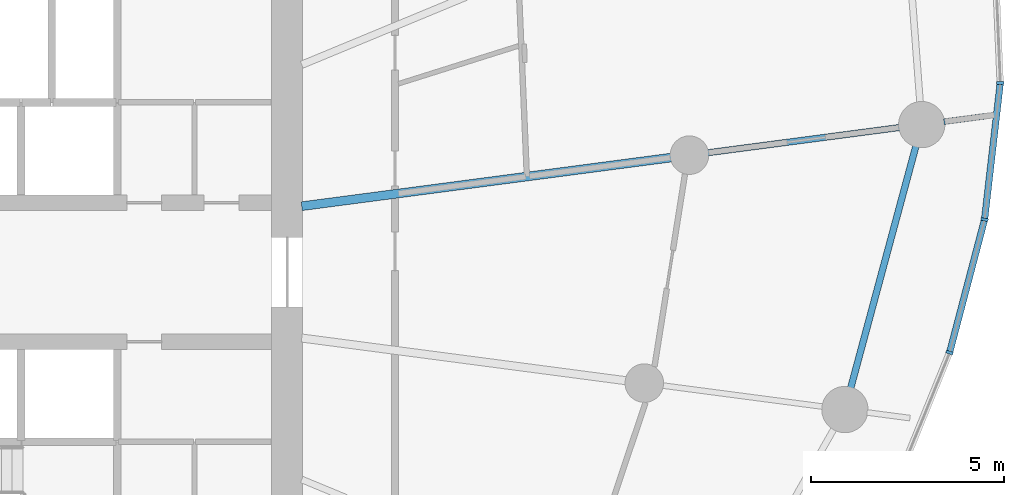
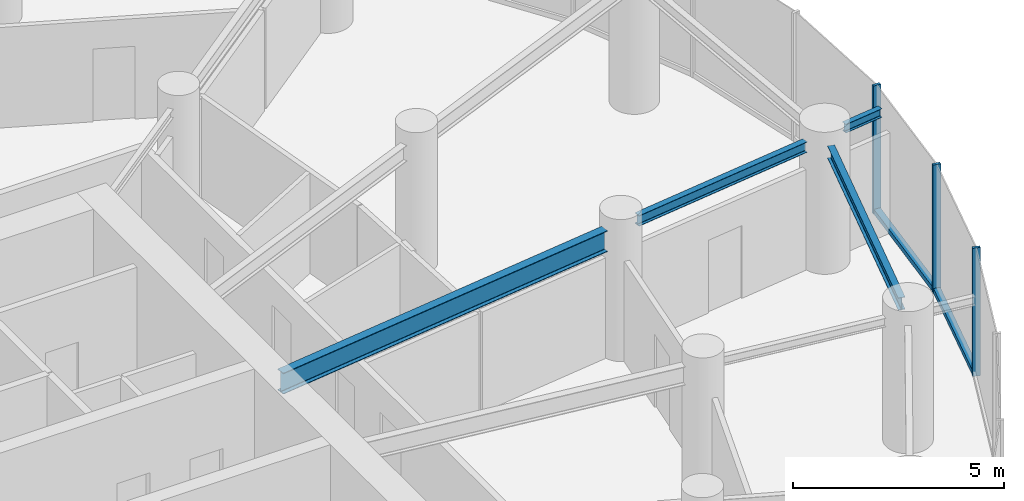
# One storey, part 5 of 17: 5 members, 4 beams, 2 elements without a shape of their own.
"""IFC4 building model written with IfcOpenShell, lengths in metres."""

from ifc_helpers import new_model, si_unit, direction, frame, origin, origin_2d, place, context, subcontext, project, spatial, rectangle, i_section, extrude, source, transform, mapped, material, layer, layer_set, material_profile, profile_set, type_object, element, aggregate, save


model = new_model("IFC4")

# Units and contexts
model_context = context("Model", 3, precision=1e-05, world=origin(), true_north=direction((0.0, 1.0)))
body_context = subcontext(model_context, "Body", "Model", "MODEL_VIEW")
ifc_project = project(units=[si_unit("LENGTHUNIT", "METRE"), si_unit("AREAUNIT", "SQUARE_METRE"), si_unit("VOLUMEUNIT", "CUBIC_METRE"), si_unit("PLANEANGLEUNIT", "RADIAN"), si_unit("MASSUNIT", "GRAM", prefix="KILO")], contexts=[model_context])

# Site, building, storey
site_placement = place(None, origin())
site = spatial("IfcSite", under=ifc_project, at=site_placement, CompositionType="ELEMENT")
building_placement = place(site_placement, origin())
building = spatial("IfcBuilding", under=site, at=building_placement, Name="Spindrift Exchange Tower", CompositionType="ELEMENT")
storey_placement = place(building_placement, frame((0.0, 0.0, 112.60009765625)))
storey = spatial("IfcBuildingStorey", under=building, at=storey_placement, Name="L26", CompositionType="ELEMENT", Elevation=112.60009765625)

# Beams
ifc_material_1 = material(Name="Steel Grade 300", Category="steel")
ifc_material_profile_1 = material_profile(ifc_material_1, i_section(OverallWidth=0.22802734375, OverallDepth=0.60693359375, WebThickness=0.01123046875, FlangeThickness=0.017333984375, FilletRadius=0.013916015625, at=origin_2d()), Name="610UB113")
ifc_profile_set_1 = profile_set([ifc_material_profile_1], Name="Steel Grade 300")
beam_type_1 = type_object("IfcBeamType", Name="Floor Beam 610UB113 Steel Grade 300", PredefinedType="BEAM", material=ifc_profile_set_1)
shared_shape_1 = source(origin(), body_context, "Body", "SweptSolid", [
    extrude(i_section(OverallWidth=0.22802734375, OverallDepth=0.60693359375, WebThickness=0.01123046875, FlangeThickness=0.017333984375, FilletRadius=0.013916015625, at=origin_2d()), origin(), (0.0, 0.0, 1.0), 9.660400390625),
])
beam_1_placement = place(storey_placement, frame((64.980224609375, 49.708984375, 3.396484375), z_axis=(0.99144767089, 0.130504850054, 0.0), x_axis=(-0.130504850054, 0.99144767089, 0.0)))
element("IfcBeam", 1, at=beam_1_placement, inside=storey, type_object=beam_type_1, Name="L26 radial beam R01A", PredefinedType="BEAM", context=body_context, shape_type="MappedRepresentation", body=[
    mapped(shared_shape_1, transform((0.0, 0.0, 0.0), scale=1.0)),
])
ifc_material_profile_2 = material_profile(ifc_material_1, i_section(OverallWidth=0.1650390625, OverallDepth=0.303955078125, WebThickness=0.006103515625, FlangeThickness=0.01025390625, FilletRadius=0.011474609375, at=origin_2d()), Name="310UB40.4")
ifc_profile_set_2 = profile_set([ifc_material_profile_2], Name="Steel Grade 300")
beam_type_2 = type_object("IfcBeamType", Name="Floor Beam 310UB40.4 Steel Grade 300", PredefinedType="BEAM", material=ifc_profile_set_2)
shared_shape_2 = source(origin(), body_context, "Body", "SweptSolid", [
    extrude(i_section(OverallWidth=0.1650390625, OverallDepth=0.303955078125, WebThickness=0.006103515625, FlangeThickness=0.01025390625, FilletRadius=0.011474609375, at=origin_2d()), origin(), (0.0, 0.0, 1.0), 5.014404296875),
])
beam_2_placement = place(storey_placement, frame((75.509765625, 51.09521484375, 3.5478515625), z_axis=(0.99145015202, 0.13048599948, 0.0), x_axis=(-0.13048599948, 0.99145015202, 0.0)))
element("IfcBeam", 2, at=beam_2_placement, inside=storey, type_object=beam_type_2, Name="L26 radial beam R01B", PredefinedType="BEAM", context=body_context, shape_type="MappedRepresentation", body=[
    mapped(shared_shape_2, transform((0.0, 0.0, 0.0), scale=1.0)),
])
ifc_material_profile_3 = material_profile(ifc_material_1, i_section(OverallWidth=0.172119140625, OverallDepth=0.35888671875, WebThickness=0.008056640625, FlangeThickness=0.012939453125, FilletRadius=0.013916015625, at=origin_2d()), Name="360UB56.7")
ifc_profile_set_3 = profile_set([ifc_material_profile_3], Name="Steel Grade 300")
beam_type_3 = type_object("IfcBeamType", Name="Edge Beam 360UB56.7 Steel Grade 300", PredefinedType="SPANDREL", material=ifc_profile_set_3)
shared_shape_3 = source(origin(), body_context, "Body", "SweptSolid", [
    extrude(i_section(OverallWidth=0.172119140625, OverallDepth=0.35888671875, WebThickness=0.008056640625, FlangeThickness=0.012939453125, FilletRadius=0.013916015625, at=origin_2d()), origin(), (0.0, 0.0, 1.0), 6.4921875),
])
beam_3_placement = place(storey_placement, frame((79.215576171875, 44.996826171875, 3.5205078125), z_axis=(0.260262058381, 0.965538016324, 0.0), x_axis=(-0.965538016324, 0.260262058381, 0.0)))
element("IfcBeam", 3, at=beam_3_placement, inside=storey, type_object=beam_type_3, Name="L26 edge beam E24", PredefinedType="SPANDREL", context=body_context, shape_type="MappedRepresentation", body=[
    mapped(shared_shape_3, transform((0.0, 0.0, 0.0), scale=1.0)),
])
ifc_material_profile_4 = material_profile(ifc_material_1, i_section(OverallWidth=0.14599609375, OverallDepth=0.251953125, WebThickness=0.006103515625, FlangeThickness=0.008544921875, FilletRadius=0.011962890625, at=origin_2d()), Name="250UB31.4")
ifc_profile_set_4 = profile_set([ifc_material_profile_4], Name="Steel Grade 300")
beam_type_4 = type_object("IfcBeamType", Name="Cantilever Beam 250UB31.4 Steel Grade 300", PredefinedType="BEAM", material=ifc_profile_set_4)
shared_shape_4 = source(origin(), body_context, "Body", "SweptSolid", [
    extrude(i_section(OverallWidth=0.14599609375, OverallDepth=0.251953125, WebThickness=0.006103515625, FlangeThickness=0.008544921875, FilletRadius=0.011962890625, at=origin_2d()), origin(), (0.0, 0.0, 1.0), 1.071533203125),
])
beam_4_placement = place(storey_placement, frame((81.63134765625, 51.90087890625, 3.573974609375), z_axis=(0.991410032, 0.130790475378, 0.0), x_axis=(-0.130790475378, 0.991410032, 0.0)))
element("IfcBeam", 4, at=beam_4_placement, inside=storey, type_object=beam_type_4, Name="L26 cantilever beam R01T", PredefinedType="BEAM", context=body_context, shape_type="MappedRepresentation", body=[
    mapped(shared_shape_4, transform((0.0, 0.0, 0.0), scale=1.0)),
])

# Curtain wall, members
ifc_material_2 = material(Name="Fritted laminated glass with bronze frame", Category="glass")
ifc_layer = layer(ifc_material_2, 0.18994140625)
ifc_layer_set = layer_set([ifc_layer], Name="ZONE 2 BRONZE FRITTED WALL")
curtain_wall_type = type_object("IfcCurtainWallType", Name="ZONE 2 BRONZE FRITTED WALL", PredefinedType="NOTDEFINED", material=ifc_layer_set)
curtain_wall_1_placement = place(storey_placement, origin())
curtain_wall_1 = element("IfcCurtainWall", 5, at=curtain_wall_1_placement, inside=storey, type_object=curtain_wall_type, Name="L26 Zone 2 Bronze Fritted Wall run 8", PredefinedType="NOTDEFINED")
ifc_material_3 = material(Name="Bronze anodised aluminium", Category="aluminium")
ifc_material_profile_5 = material_profile(ifc_material_3, rectangle(XDim=0.074951171875, YDim=0.18994140625, at=origin_2d()), Name="ZONE 2 BRONZE FRITTED WALL MULLION 75X190")
ifc_profile_set_5 = profile_set([ifc_material_profile_5], Name="Bronze anodised aluminium")
member_type_1 = type_object("IfcMemberType", Name="ZONE 2 BRONZE FRITTED WALL MULLION 75X190", PredefinedType="MULLION", material=ifc_profile_set_5)
shared_shape_5 = source(origin(), body_context, "Body", "SweptSolid", [
    extrude(rectangle(XDim=0.074951171875, YDim=0.18994140625, at=origin_2d()), origin(), (0.0, 0.0, 1.0), 3.699951171875),
])
member_1_placement = place(storey_placement, frame((81.779541015625, 45.913818359375, 0.0), z_axis=(0.0, 0.0, 1.0), x_axis=(0.316156248867, 0.948707134105, 0.0)))
member_1 = element("IfcMember", 6, at=member_1_placement, type_object=member_type_1, Name="L26 mullion CW-2.47", PredefinedType="MULLION", context=body_context, shape_type="MappedRepresentation", body=[
    mapped(shared_shape_5, transform((0.0, 0.0, 0.0), scale=1.0)),
])
member_2_placement = place(storey_placement, frame((82.686279296875, 49.361572265625, 0.0), z_axis=(0.0, 0.0, 1.0), x_axis=(0.18477085222, 0.982781629951, 0.0)))
member_2 = element("IfcMember", 7, at=member_2_placement, type_object=member_type_1, Name="L26 mullion CW-2.48", PredefinedType="MULLION", context=body_context, shape_type="MappedRepresentation", body=[
    mapped(shared_shape_5, transform((0.0, 0.0, 0.0), scale=1.0)),
])

# Curtain wall, member
curtain_wall_2_placement = place(storey_placement, origin())
curtain_wall_2 = element("IfcCurtainWall", 8, at=curtain_wall_2_placement, inside=storey, type_object=curtain_wall_type, Name="L26 Zone 2 Bronze Fritted Wall run 9", PredefinedType="NOTDEFINED")
member_3_placement = place(storey_placement, frame((83.093505859375, 52.902587890625, 0.0), z_axis=(0.0, 0.0, 1.0), x_axis=(0.035892249689, 0.999355665623, 0.0)))
member_3 = element("IfcMember", 9, at=member_3_placement, type_object=member_type_1, Name="L26 mullion CW-2.49", PredefinedType="MULLION", context=body_context, shape_type="MappedRepresentation", body=[
    mapped(shared_shape_5, transform((0.0, 0.0, 0.0), scale=1.0)),
])
aggregate(curtain_wall_2, [member_3])

# Member
ifc_material_profile_6 = material_profile(ifc_material_3, rectangle(XDim=0.169921875, YDim=0.139892578125, at=origin_2d()), Name="ZONE 2 BRONZE FRITTED WALL TRANSOM 170X140")
ifc_profile_set_6 = profile_set([ifc_material_profile_6], Name="Bronze anodised aluminium")
member_type_2 = type_object("IfcMemberType", Name="ZONE 2 BRONZE FRITTED WALL TRANSOM 170X140", PredefinedType="USERDEFINED", material=ifc_profile_set_6)
shared_shape_6 = source(origin(), body_context, "Body", "SweptSolid", [
    extrude(rectangle(XDim=0.169921875, YDim=0.139892578125, at=origin_2d()), origin(), (0.0, 0.0, 1.0), 3.490234375),
])
member_4_placement = place(storey_placement, frame((81.7890625, 45.949951171875, 0.06982421875), z_axis=(0.254334913716, 0.967116203806, 0.0), x_axis=(-0.967116203806, 0.254334913716, 0.0)))
member_4 = element("IfcMember", 10, at=member_4_placement, type_object=member_type_2, Name="L26 transom CW-2.47", ObjectType="TRANSOM", PredefinedType="USERDEFINED", context=body_context, shape_type="MappedRepresentation", body=[
    mapped(shared_shape_6, transform((0.0, 0.0, 0.0), scale=1.0)),
])

shared_shape_7 = source(origin(), body_context, "Body", "SweptSolid", [
    extrude(rectangle(XDim=0.169921875, YDim=0.139892578125, at=origin_2d()), origin(), (0.0, 0.0, 1.0), 3.4892578125),
])
member_5_placement = place(storey_placement, frame((82.6904296875, 49.39892578125, 0.06982421875), z_axis=(0.11426290621, 0.993450546461, 0.0), x_axis=(-0.993450546461, 0.11426290621, 0.0)))
member_5 = element("IfcMember", 11, at=member_5_placement, type_object=member_type_2, Name="L26 transom CW-2.48", ObjectType="TRANSOM", PredefinedType="USERDEFINED", context=body_context, shape_type="MappedRepresentation", body=[
    mapped(shared_shape_7, transform((0.0, 0.0, 0.0), scale=1.0)),
])

aggregate(curtain_wall_1, [member_1, member_4, member_2, member_5])

save(model, "model.ifc")
